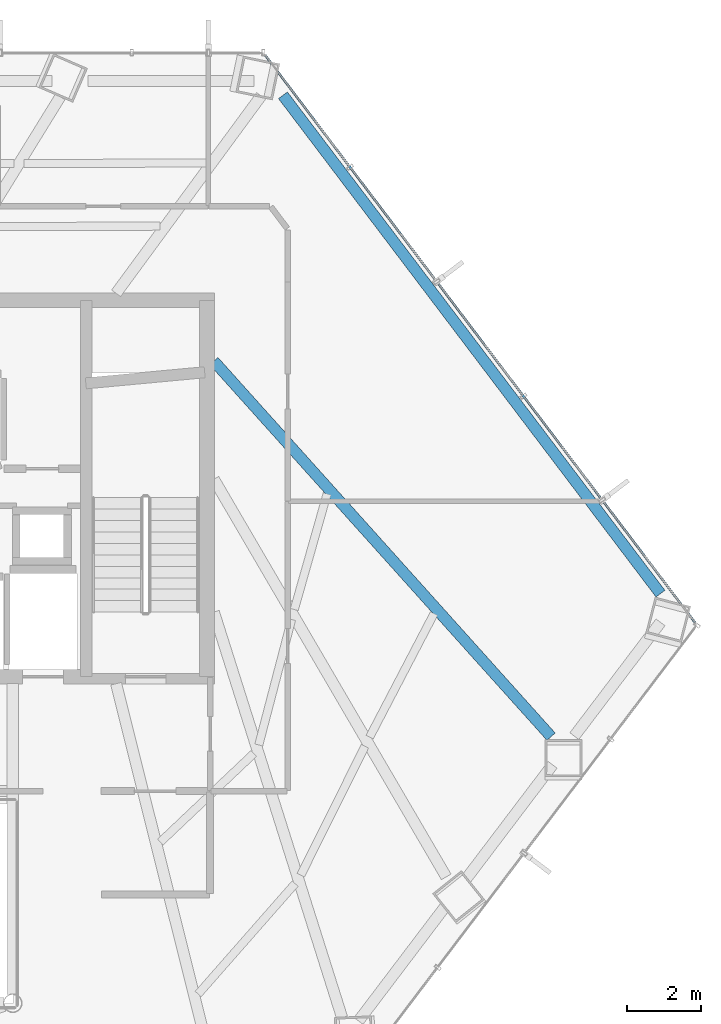
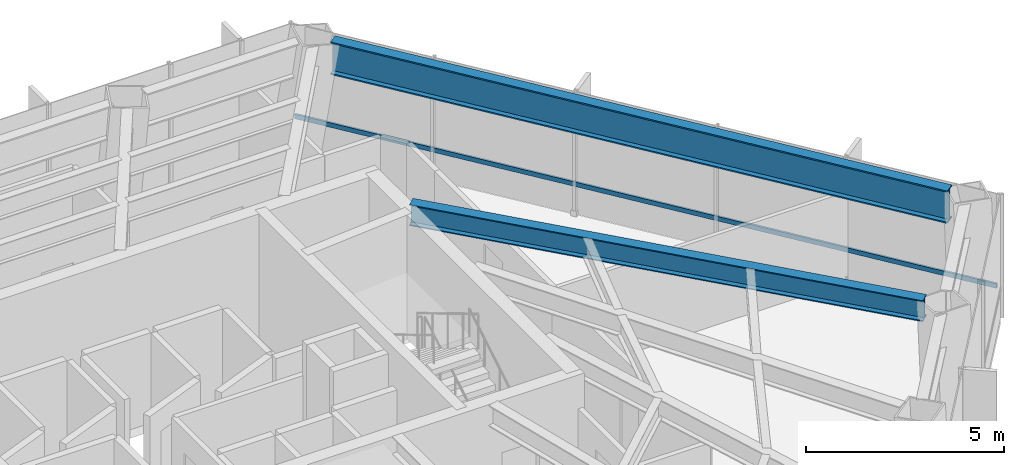
# One storey, part 20 of 26: 2 beams, 1 member, 1 element without a shape of its own.
"""IFC4 building model written with IfcOpenShell, lengths in metres."""

from ifc_helpers import new_model, si_unit, direction, frame, origin, origin_2d, place, context, subcontext, project, spatial, hollow_rectangle, i_section, extrude, material, layer, layer_set, material_profile, profile_set, type_object, element, aggregate, save


model = new_model("IFC4")

# Units and contexts
model_context = context("Model", 3, precision=1e-05, world=origin(), true_north=direction((0.0, 1.0)))
body_context = subcontext(model_context, "Body", "Model", "MODEL_VIEW")
ifc_project = project(units=[si_unit("LENGTHUNIT", "METRE"), si_unit("AREAUNIT", "SQUARE_METRE"), si_unit("VOLUMEUNIT", "CUBIC_METRE"), si_unit("PLANEANGLEUNIT", "RADIAN"), si_unit("MASSUNIT", "GRAM", prefix="KILO")], contexts=[model_context])

# Site, building, storey
site_placement = place(None, origin())
site = spatial("IfcSite", under=ifc_project, at=site_placement, CompositionType="ELEMENT")
building_placement = place(site_placement, origin())
building = spatial("IfcBuilding", under=site, at=building_placement, Name="Zarrinselat Tower", CompositionType="ELEMENT")
storey_placement = place(building_placement, frame((0.0, 0.0, 35.699951171875)))
storey = spatial("IfcBuildingStorey", under=building, at=storey_placement, Name="L08", CompositionType="ELEMENT", Elevation=35.699951171875)

# Beams
ifc_material_1 = material(Name="Steel S355J2", Category="steel")
ifc_material_profile_1 = material_profile(ifc_material_1, i_section(OverallWidth=0.300048828125, OverallDepth=0.64990234375, WebThickness=0.01611328125, FlangeThickness=0.031005859375, at=origin_2d()), Name="HEB 650")
ifc_profile_set_1 = profile_set([ifc_material_profile_1], Name="Steel S355J2")
beam_type_1 = type_object("IfcBeamType", Name="BM-HEB650", PredefinedType="BEAM", material=ifc_profile_set_1)
beam_1_placement = place(storey_placement, frame((48.449951171875, 41.800048828125, 3.4951171875), z_axis=(0.668172366334, -0.744006511307, 0.0), x_axis=(0.744006511307, 0.668172366334, 0.0)))
element("IfcBeam", 1, at=beam_1_placement, inside=storey, type_object=beam_type_1, Name="L08 Radial Primary Girder RG14", PredefinedType="BEAM", context=body_context, shape_type="SweptSolid", body=[
    extrude(i_section(OverallWidth=0.300048828125, OverallDepth=0.64990234375, WebThickness=0.01611328125, FlangeThickness=0.031005859375, at=origin_2d()), origin(), (0.0, 0.0, 1.0), 13.676025390625),
])
ifc_material_2 = material(Name="Steel S460M", Category="steel")
ifc_material_profile_2 = material_profile(ifc_material_2, i_section(OverallWidth=0.302001953125, OverallDepth=1.008056640625, WebThickness=0.02099609375, FlangeThickness=0.0400390625, at=origin_2d()), Name="HEM 1000")
ifc_profile_set_2 = profile_set([ifc_material_profile_2], Name="Steel S460M")
beam_type_2 = type_object("IfcBeamType", Name="BM-HEM1000", PredefinedType="BEAM", material=ifc_profile_set_2)
beam_2_placement = place(storey_placement, frame((50.321044921875, 49.00537109375, 3.316162109375), z_axis=(0.60386157192, -0.797089205772, 0.0), x_axis=(0.797089205772, 0.60386157192, 0.0)))
element("IfcBeam", 2, at=beam_2_placement, inside=storey, type_object=beam_type_2, Name="L08 Perimeter Spandrel Girder SP15", PredefinedType="BEAM", context=body_context, shape_type="SweptSolid", body=[
    extrude(i_section(OverallWidth=0.302001953125, OverallDepth=1.008056640625, WebThickness=0.02099609375, FlangeThickness=0.0400390625, at=origin_2d()), origin(), (0.0, 0.0, 1.0), 16.943359375),
])

# Curtain wall, member
ifc_material_3 = material(Name="Extruded Aluminium Alloy EN AW-6063 T6", Category="aluminium")
ifc_layer = layer(ifc_material_3, 0.18505859375)
ifc_layer_set = layer_set([ifc_layer], Name="Extruded Aluminium Alloy EN AW-6063 T6")
curtain_wall_type = type_object("IfcCurtainWallType", Name="CWS-OFF", PredefinedType="NOTDEFINED", material=ifc_layer_set)
curtain_wall_placement = place(storey_placement, origin())
curtain_wall = element("IfcCurtainWall", 3, at=curtain_wall_placement, inside=storey, type_object=curtain_wall_type, Name="L08 Unitised Curtain Wall CW-L08-E06", PredefinedType="NOTDEFINED")
ifc_material_4 = material(Name="Extruded Aluminium Alloy EN AW-6063 T6", Category="aluminium")
ifc_material_profile_3 = material_profile(ifc_material_4, hollow_rectangle(XDim=0.06005859375, YDim=0.139892578125, WallThickness=0.00390625, at=origin_2d()), Name="RHS 140x60x4")
ifc_profile_set_3 = profile_set([ifc_material_profile_3], Name="Extruded Aluminium Alloy EN AW-6063 T6")
member_type = type_object("IfcMemberType", Name="MEM-CW-TRN", PredefinedType="USERDEFINED", material=ifc_profile_set_3)
member_placement = place(storey_placement, frame((61.4873046875, 34.7197265625, 0.949951171875), z_axis=(-0.603854275135, 0.797094733643, 0.0), x_axis=(-0.797094733643, -0.603854275135, 0.0)))
member = element("IfcMember", 4, at=member_placement, type_object=member_type, Name="CW-L08-E06 Transom 1", ObjectType="TRANSOM", PredefinedType="USERDEFINED", context=body_context, shape_type="SweptSolid", body=[
    extrude(hollow_rectangle(XDim=0.06005859375, YDim=0.139892578125, WallThickness=0.00390625, at=origin_2d()), origin(), (0.0, 0.0, 1.0), 19.281982421875),
])
aggregate(curtain_wall, [member])

save(model, "model.ifc")
